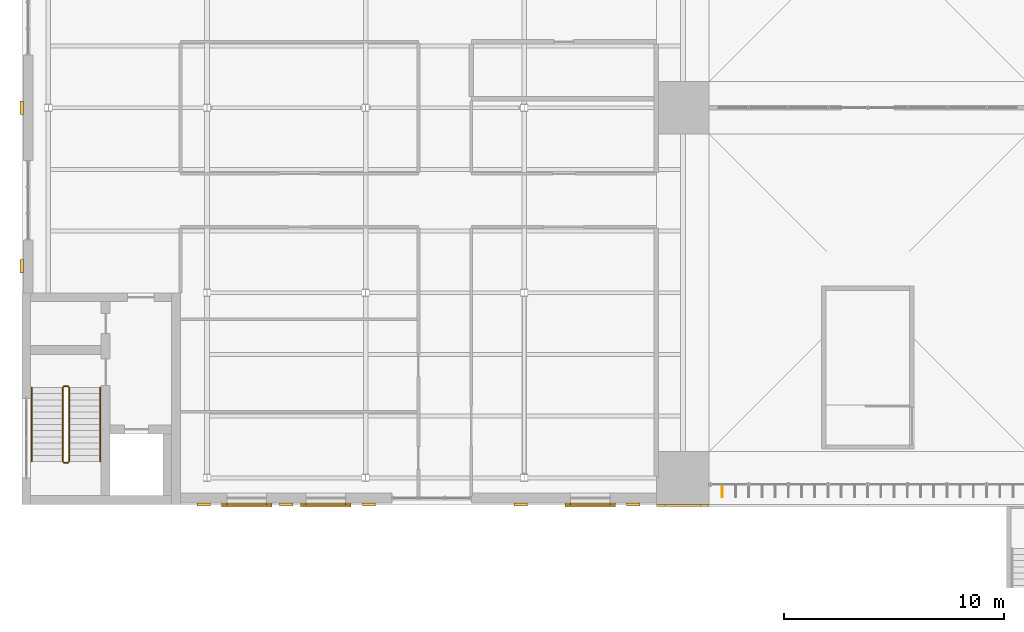
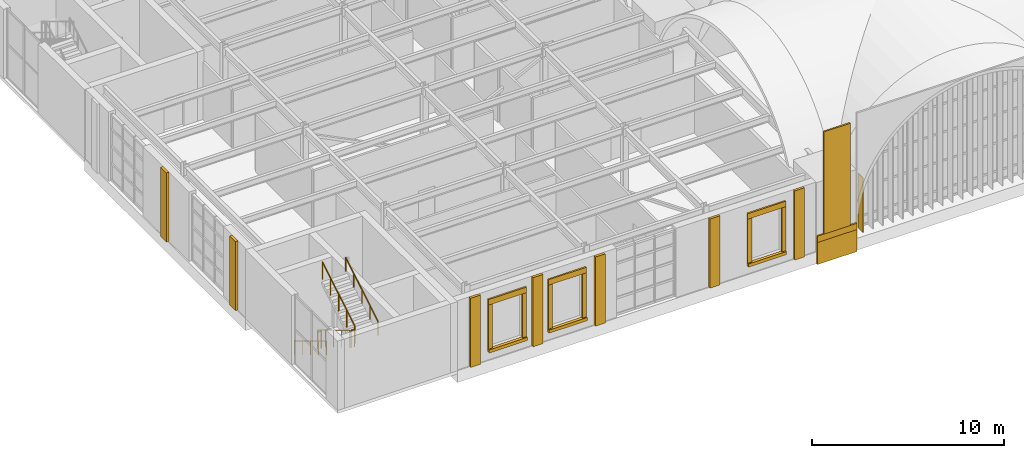
# One storey, part 147 of 169: 22 coverings, 6 railings, 1 shading device.
"""IFC4 building model written with IfcOpenShell, lengths in metres."""

from ifc_helpers import new_model, si_unit, direction, frame, origin, origin_2d, place, context, subcontext, project, spatial, polyline, rectangle, circle, outline, extrude, material, layer, layer_set, type_object, element, save


model = new_model("IFC4")

# Units and contexts
model_context = context("Model", 3, precision=1e-05, world=origin(), true_north=direction((0.0, 1.0)))
body_context = subcontext(model_context, "Body", "Model", "MODEL_VIEW")
ifc_project = project(units=[si_unit("LENGTHUNIT", "METRE"), si_unit("AREAUNIT", "SQUARE_METRE"), si_unit("VOLUMEUNIT", "CUBIC_METRE"), si_unit("PLANEANGLEUNIT", "RADIAN"), si_unit("MASSUNIT", "GRAM", prefix="KILO")], contexts=[model_context])

# Site, building, storey
site_placement = place(None, origin())
site = spatial("IfcSite", under=ifc_project, at=site_placement, CompositionType="ELEMENT")
building_placement = place(site_placement, origin())
building = spatial("IfcBuilding", under=site, at=building_placement, Name="Verrick Yard Athletic Hall", CompositionType="ELEMENT")
storey_placement = place(building_placement, frame((0.0, 0.0, 4.39990234375)))
storey = spatial("IfcBuildingStorey", under=building, at=storey_placement, Name="L01", CompositionType="ELEMENT", Elevation=4.39990234375)

# Shading device
ifc_material_1 = material(Name="Anodised aluminium", Category="aluminium")
ifc_layer_1 = layer(ifc_material_1, 0.0400390625)
ifc_layer_set_1 = layer_set([ifc_layer_1], Name="Arcade fin")
shading_device_type = type_object("IfcShadingDeviceType", Name="Arcade fin", PredefinedType="USERDEFINED", material=ifc_layer_set_1)
shading_device_placement = place(storey_placement, frame((41.800048828125, 18.82373046875, 0.0), z_axis=(0.0, 0.0, 1.0), x_axis=(0.0, -1.0, 0.0)))
element("IfcShadingDevice", 1, at=shading_device_placement, inside=storey, type_object=shading_device_type, Name="Fin RS1.1", ObjectType="FIN", PredefinedType="USERDEFINED", context=body_context, shape_type="SweptSolid", body=[
    extrude(outline(polyline([(0.0, 0.0), (0.5, 0.0), (0.5, 3.4775390625), (0.0, 3.4775390625), (0.0, 0.0)])), frame((0.0, 0.02001953125, 0.0), z_axis=(0.0, -1.0, 0.0), x_axis=(1.0, 0.0, 0.0)), (0.0, 0.0, 1.0), 0.0400390625),
])

# Coverings
ifc_material_2 = material(Name="Limestone cladding", Category="masonry")
ifc_layer_2 = layer(ifc_material_2, 0.10009765625)
ifc_layer_set_2 = layer_set([ifc_layer_2], Name="Impost and capital moulding")
covering_type_1 = type_object("IfcCoveringType", Name="Impost and capital moulding", PredefinedType="MOLDING", material=ifc_layer_set_2)
covering_1_placement = place(storey_placement, frame((40.0, 17.949951171875, 0.650146484375), z_axis=(0.0, 0.0, 1.0), x_axis=(1.0, 0.0, 0.0)))
element("IfcCovering", 2, at=covering_1_placement, inside=storey, type_object=covering_type_1, Name="Impost S1", PredefinedType="MOLDING", context=body_context, shape_type="SweptSolid", body=[
    extrude(rectangle(XDim=2.39990234375, YDim=0.10009765625, at=origin_2d()), origin(), (0.0, 0.0, 1.0), 0.39990234375),
])
ifc_material_3 = material(Name="Rusticated limestone cladding", Category="masonry")
ifc_layer_3 = layer(ifc_material_3, 0.10009765625)
ifc_layer_set_3 = layer_set([ifc_layer_3], Name="Pier base cladding")
covering_type_2 = type_object("IfcCoveringType", Name="Pier base cladding", PredefinedType="CLADDING", material=ifc_layer_set_3)
covering_2_placement = place(storey_placement, frame((40.0, 17.949951171875, -0.749755859375), z_axis=(0.0, 0.0, 1.0), x_axis=(1.0, 0.0, 0.0)))
element("IfcCovering", 3, at=covering_2_placement, inside=storey, type_object=covering_type_2, Name="Pier string S1", PredefinedType="CLADDING", context=body_context, shape_type="SweptSolid", body=[
    extrude(rectangle(XDim=2.39990234375, YDim=0.10009765625, at=origin_2d()), origin(), (0.0, 0.0, 1.0), 1.39990234375),
])
ifc_layer_4 = layer(ifc_material_2, 0.10009765625)
ifc_layer_set_4 = layer_set([ifc_layer_4], Name="Pilaster cladding")
covering_type_3 = type_object("IfcCoveringType", Name="Pilaster cladding", PredefinedType="CLADDING", material=ifc_layer_set_4)
covering_3_placement = place(storey_placement, frame((40.0, 17.949951171875, 1.050048828125), z_axis=(0.0, 0.0, 1.0), x_axis=(1.0, 0.0, 0.0)))
element("IfcCovering", 4, at=covering_3_placement, inside=storey, type_object=covering_type_3, Name="Pilaster S1", PredefinedType="CLADDING", context=body_context, shape_type="SweptSolid", body=[
    extrude(rectangle(XDim=1.60009765625, YDim=0.10009765625, at=origin_2d()), origin(), (0.0, 0.0, 1.0), 6.5),
])

# Railings
ifc_material_4 = material(Name="Stainless steel", Category="steel")
railing_type_1 = type_object("IfcRailingType", Name="Stair and core guard 1100", PredefinedType="GUARDRAIL", material=ifc_material_4)
railing_1_placement = place(storey_placement, frame((11.85009765625, 23.300048828125, 0.16943359375)))
element("IfcRailing", 5, at=railing_1_placement, inside=storey, type_object=railing_type_1, Name="L01 Wing south-west stair guard 1", PredefinedType="GUARDRAIL", context=body_context, shape_type="SweptSolid", body=[
    extrude(circle(Radius=0.02392578125, at=origin_2d()), frame((0.0, 0.0, 1.076171875), z_axis=(0.0, -0.855836976705, 0.517245656632), x_axis=(1.0, 0.0, 0.0)), (0.0, 0.0, 1.0), 3.926025390625),
    extrude(circle(Radius=0.02099609375, at=origin_2d()), origin(), (0.0, 0.0, 1.0), 1.052001953125),
    extrude(circle(Radius=0.02099609375, at=origin_2d()), frame((0.0, -0.840087890625, 0.5078125)), (0.0, 0.0, 1.0), 1.052001953125),
    extrude(circle(Radius=0.02099609375, at=origin_2d()), frame((0.0, -1.68017578125, 1.015380859375)), (0.0, 0.0, 1.0), 1.052001953125),
    extrude(circle(Radius=0.02099609375, at=origin_2d()), frame((0.0, -2.52001953125, 1.52294921875)), (0.0, 0.0, 1.0), 1.052001953125),
    extrude(circle(Radius=0.02099609375, at=origin_2d()), frame((0.0, -3.360107421875, 2.03076171875)), (0.0, 0.0, 1.0), 1.052001953125),
])
railing_2_placement = place(storey_placement, frame((11.89990234375, 19.889892578125, 2.2001953125)))
element("IfcRailing", 6, at=railing_2_placement, inside=storey, type_object=railing_type_1, Name="L01 Wing south-west stair guard 2", PredefinedType="GUARDRAIL", context=body_context, shape_type="SweptSolid", body=[
    extrude(circle(Radius=0.02392578125, at=origin_2d()), frame((0.0, 0.0, 1.076171875), z_axis=(1.0, 0.0, 0.0), x_axis=(0.0, 1.0, 0.0)), (0.0, 0.0, 1.0), 0.2001953125),
    extrude(circle(Radius=0.02099609375, at=origin_2d()), origin(), (0.0, 0.0, 1.0), 1.052001953125),
    extrude(circle(Radius=0.02099609375, at=origin_2d()), frame((0.2001953125, 0.0, 0.0)), (0.0, 0.0, 1.0), 1.052001953125),
])
railing_3_placement = place(storey_placement, frame((12.14990234375, 19.93994140625, 2.369384765625)))
element("IfcRailing", 7, at=railing_3_placement, inside=storey, type_object=railing_type_1, Name="L01 Wing south-west stair guard 3", PredefinedType="GUARDRAIL", context=body_context, shape_type="SweptSolid", body=[
    extrude(circle(Radius=0.02392578125, at=origin_2d()), frame((0.0, 0.0, 1.076171875), z_axis=(0.0, 0.855836976705, 0.517245656632), x_axis=(-1.0, 0.0, 0.0)), (0.0, 0.0, 1.0), 3.926025390625),
    extrude(circle(Radius=0.02099609375, at=origin_2d()), origin(), (0.0, 0.0, 1.0), 1.052001953125),
    extrude(circle(Radius=0.02099609375, at=origin_2d()), frame((0.0, 0.840087890625, 0.5078125)), (0.0, 0.0, 1.0), 1.052001953125),
    extrude(circle(Radius=0.02099609375, at=origin_2d()), frame((0.0, 1.68017578125, 1.015380859375)), (0.0, 0.0, 1.0), 1.052001953125),
    extrude(circle(Radius=0.02099609375, at=origin_2d()), frame((0.0, 2.52001953125, 1.52294921875)), (0.0, 0.0, 1.0), 1.052001953125),
    extrude(circle(Radius=0.02099609375, at=origin_2d()), frame((0.0, 3.360107421875, 2.03076171875)), (0.0, 0.0, 1.0), 1.052001953125),
])
railing_4_placement = place(storey_placement, frame((11.89990234375, 23.35009765625, 0.0)))
element("IfcRailing", 8, at=railing_4_placement, inside=storey, type_object=railing_type_1, Name="L01 Wing south-west stair guard 4", PredefinedType="GUARDRAIL", context=body_context, shape_type="SweptSolid", body=[
    extrude(circle(Radius=0.02392578125, at=origin_2d()), frame((0.0, 0.0, 1.076171875), z_axis=(1.0, 0.0, 0.0), x_axis=(0.0, 1.0, 0.0)), (0.0, 0.0, 1.0), 0.2001953125),
    extrude(circle(Radius=0.02099609375, at=origin_2d()), origin(), (0.0, 0.0, 1.0), 1.052001953125),
    extrude(circle(Radius=0.02099609375, at=origin_2d()), frame((0.2001953125, 0.0, 0.0)), (0.0, 0.0, 1.0), 1.052001953125),
])
railing_type_2 = type_object("IfcRailingType", Name="Stair handrail 900", PredefinedType="HANDRAIL", material=ifc_material_4)
railing_5_placement = place(storey_placement, frame((10.449951171875, 23.300048828125, 0.16943359375)))
element("IfcRailing", 9, at=railing_5_placement, inside=storey, type_object=railing_type_2, Name="L01 Wing south-west stair handrail 1", PredefinedType="HANDRAIL", context=body_context, shape_type="SweptSolid", body=[
    extrude(circle(Radius=0.02392578125, at=origin_2d()), frame((0.0, 0.0, 0.8759765625), z_axis=(0.0, -0.855836976705, 0.517245656632), x_axis=(1.0, 0.0, 0.0)), (0.0, 0.0, 1.0), 3.926025390625),
    extrude(circle(Radius=0.02099609375, at=origin_2d()), origin(), (0.0, 0.0, 1.0), 0.851806640625),
    extrude(circle(Radius=0.02099609375, at=origin_2d()), frame((0.0, -0.840087890625, 0.5078125)), (0.0, 0.0, 1.0), 0.851806640625),
    extrude(circle(Radius=0.02099609375, at=origin_2d()), frame((0.0, -1.68017578125, 1.015380859375)), (0.0, 0.0, 1.0), 0.851806640625),
    extrude(circle(Radius=0.02099609375, at=origin_2d()), frame((0.0, -2.52001953125, 1.52294921875)), (0.0, 0.0, 1.0), 0.851806640625),
    extrude(circle(Radius=0.02099609375, at=origin_2d()), frame((0.0, -3.360107421875, 2.03076171875)), (0.0, 0.0, 1.0), 0.851806640625),
])
railing_6_placement = place(storey_placement, frame((13.550048828125, 19.93994140625, 2.369384765625)))
element("IfcRailing", 10, at=railing_6_placement, inside=storey, type_object=railing_type_2, Name="L01 Wing south-west stair handrail 2", PredefinedType="HANDRAIL", context=body_context, shape_type="SweptSolid", body=[
    extrude(circle(Radius=0.02392578125, at=origin_2d()), frame((0.0, 0.0, 0.8759765625), z_axis=(0.0, 0.855836976705, 0.517245656632), x_axis=(-1.0, 0.0, 0.0)), (0.0, 0.0, 1.0), 3.926025390625),
    extrude(circle(Radius=0.02099609375, at=origin_2d()), origin(), (0.0, 0.0, 1.0), 0.851806640625),
    extrude(circle(Radius=0.02099609375, at=origin_2d()), frame((0.0, 0.840087890625, 0.5078125)), (0.0, 0.0, 1.0), 0.851806640625),
    extrude(circle(Radius=0.02099609375, at=origin_2d()), frame((0.0, 1.68017578125, 1.015380859375)), (0.0, 0.0, 1.0), 0.851806640625),
    extrude(circle(Radius=0.02099609375, at=origin_2d()), frame((0.0, 2.52001953125, 1.52294921875)), (0.0, 0.0, 1.0), 0.851806640625),
    extrude(circle(Radius=0.02099609375, at=origin_2d()), frame((0.0, 3.360107421875, 2.03076171875)), (0.0, 0.0, 1.0), 0.851806640625),
])

# Coverings
ifc_material_5 = material(Name="Tyndall-stone-look precast cladding", Category="masonry")
ifc_layer_5 = layer(ifc_material_5, 0.125)
ifc_layer_set_5 = layer_set([ifc_layer_5], Name="Stone cladding")
covering_type_4 = type_object("IfcCoveringType", Name="Stone cladding", PredefinedType="CLADDING", material=ifc_layer_set_5)
for number, where, z_axis, x_axis, name in (
    (11, (18.25, 17.987548828125, 0.000244140625), (0.0, 0.0, 1.0), (1.0, 0.0, 0.0), "Wing pilaster"),
    (12, (22.0, 17.987548828125, 0.000244140625), (0.0, 0.0, 1.0), (1.0, 0.0, 0.0), "Wing pilaster"),
    (13, (25.75, 17.987548828125, 0.000244140625), (0.0, 0.0, 1.0), (1.0, 0.0, 0.0), "Wing pilaster"),
    (14, (32.64990234375, 17.987548828125, 0.000244140625), (0.0, 0.0, 1.0), (1.0, 0.0, 0.0), "Wing pilaster"),
    (15, (37.75, 17.987548828125, 0.000244140625), (0.0, 0.0, 1.0), (1.0, 0.0, 0.0), "Wing pilaster"),
    (16, (9.987548828125, 28.800048828125, 0.000244140625), (0.0, 0.0, 1.0), (0.0, 1.0, 0.0), "Wing pilaster"),
    (17, (9.987548828125, 36.0, 0.000244140625), (0.0, 0.0, 1.0), (0.0, 1.0, 0.0), "Wing pilaster"),
):
    element("IfcCovering", number, at=place(storey_placement, frame(where, z_axis=z_axis, x_axis=x_axis)), inside=storey, type_object=covering_type_4, Name=name, PredefinedType="CLADDING", context=body_context, shape_type="SweptSolid", body=[
        extrude(rectangle(XDim=0.60009765625, YDim=0.14990234375, at=origin_2d()), origin(), (0.0, 0.0, 1.0), 4.39990234375),
    ])
ifc_layer_6 = layer(ifc_material_5, 0.25)
ifc_layer_set_6 = layer_set([ifc_layer_6], Name="Stone moulding")
covering_type_5 = type_object("IfcCoveringType", Name="Stone moulding", PredefinedType="MOLDING", material=ifc_layer_set_6)
covering_4_placement = place(storey_placement, frame((20.199951171875, 17.972412109375, 0.55029296875), z_axis=(0.0, 0.0, 1.0), x_axis=(1.0, 0.0, 0.0)))
element("IfcCovering", 18, at=covering_4_placement, inside=storey, type_object=covering_type_5, Name="Window sill", PredefinedType="MOLDING", context=body_context, shape_type="SweptSolid", body=[
    extrude(rectangle(XDim=2.300048828125, YDim=0.179931640625, at=origin_2d()), origin(), (0.0, 0.0, 1.0), 0.199951171875),
])
covering_5_placement = place(storey_placement, frame((20.199951171875, 18.012451171875, 3.550048828125), z_axis=(0.0, 0.0, 1.0), x_axis=(1.0, 0.0, 0.0)))
element("IfcCovering", 19, at=covering_5_placement, inside=storey, type_object=covering_type_5, Name="Window head", PredefinedType="MOLDING", context=body_context, shape_type="SweptSolid", body=[
    extrude(rectangle(XDim=2.300048828125, YDim=0.10009765625, at=origin_2d()), origin(), (0.0, 0.0, 1.0), 0.35009765625),
])
for number, where, z_axis, x_axis, name in (
    (20, (19.175048828125, 18.012451171875, 0.75), (0.0, 0.0, 1.0), (1.0, 0.0, 0.0), "Window jamb"),
    (21, (21.22509765625, 18.012451171875, 0.75), (0.0, 0.0, 1.0), (1.0, 0.0, 0.0), "Window jamb"),
):
    element("IfcCovering", number, at=place(storey_placement, frame(where, z_axis=z_axis, x_axis=x_axis)), inside=storey, type_object=covering_type_5, Name=name, PredefinedType="MOLDING", context=body_context, shape_type="SweptSolid", body=[
        extrude(rectangle(XDim=0.25, YDim=0.10009765625, at=origin_2d()), origin(), (0.0, 0.0, 1.0), 2.800048828125),
    ])
covering_6_placement = place(storey_placement, frame((23.800048828125, 17.972412109375, 0.55029296875), z_axis=(0.0, 0.0, 1.0), x_axis=(1.0, 0.0, 0.0)))
element("IfcCovering", 22, at=covering_6_placement, inside=storey, type_object=covering_type_5, Name="Window sill", PredefinedType="MOLDING", context=body_context, shape_type="SweptSolid", body=[
    extrude(rectangle(XDim=2.300048828125, YDim=0.179931640625, at=origin_2d()), origin(), (0.0, 0.0, 1.0), 0.199951171875),
])
covering_7_placement = place(storey_placement, frame((23.800048828125, 18.012451171875, 3.550048828125), z_axis=(0.0, 0.0, 1.0), x_axis=(1.0, 0.0, 0.0)))
element("IfcCovering", 23, at=covering_7_placement, inside=storey, type_object=covering_type_5, Name="Window head", PredefinedType="MOLDING", context=body_context, shape_type="SweptSolid", body=[
    extrude(rectangle(XDim=2.300048828125, YDim=0.10009765625, at=origin_2d()), origin(), (0.0, 0.0, 1.0), 0.35009765625),
])
for number, where, z_axis, x_axis, name in (
    (24, (22.77490234375, 18.012451171875, 0.75), (0.0, 0.0, 1.0), (1.0, 0.0, 0.0), "Window jamb"),
    (25, (24.824951171875, 18.012451171875, 0.75), (0.0, 0.0, 1.0), (1.0, 0.0, 0.0), "Window jamb"),
):
    element("IfcCovering", number, at=place(storey_placement, frame(where, z_axis=z_axis, x_axis=x_axis)), inside=storey, type_object=covering_type_5, Name=name, PredefinedType="MOLDING", context=body_context, shape_type="SweptSolid", body=[
        extrude(rectangle(XDim=0.25, YDim=0.10009765625, at=origin_2d()), origin(), (0.0, 0.0, 1.0), 2.800048828125),
    ])
covering_8_placement = place(storey_placement, frame((35.800048828125, 17.972412109375, 0.55029296875), z_axis=(0.0, 0.0, 1.0), x_axis=(1.0, 0.0, 0.0)))
element("IfcCovering", 26, at=covering_8_placement, inside=storey, type_object=covering_type_5, Name="Window sill", PredefinedType="MOLDING", context=body_context, shape_type="SweptSolid", body=[
    extrude(rectangle(XDim=2.300048828125, YDim=0.179931640625, at=origin_2d()), origin(), (0.0, 0.0, 1.0), 0.199951171875),
])
covering_9_placement = place(storey_placement, frame((35.800048828125, 18.012451171875, 3.550048828125), z_axis=(0.0, 0.0, 1.0), x_axis=(1.0, 0.0, 0.0)))
element("IfcCovering", 27, at=covering_9_placement, inside=storey, type_object=covering_type_5, Name="Window head", PredefinedType="MOLDING", context=body_context, shape_type="SweptSolid", body=[
    extrude(rectangle(XDim=2.300048828125, YDim=0.10009765625, at=origin_2d()), origin(), (0.0, 0.0, 1.0), 0.35009765625),
])
for number, where, z_axis, x_axis, name in (
    (28, (34.77490234375, 18.012451171875, 0.75), (0.0, 0.0, 1.0), (1.0, 0.0, 0.0), "Window jamb"),
    (29, (36.824951171875, 18.012451171875, 0.75), (0.0, 0.0, 1.0), (1.0, 0.0, 0.0), "Window jamb"),
):
    element("IfcCovering", number, at=place(storey_placement, frame(where, z_axis=z_axis, x_axis=x_axis)), inside=storey, type_object=covering_type_5, Name=name, PredefinedType="MOLDING", context=body_context, shape_type="SweptSolid", body=[
        extrude(rectangle(XDim=0.25, YDim=0.10009765625, at=origin_2d()), origin(), (0.0, 0.0, 1.0), 2.800048828125),
    ])

save(model, "model.ifc")
